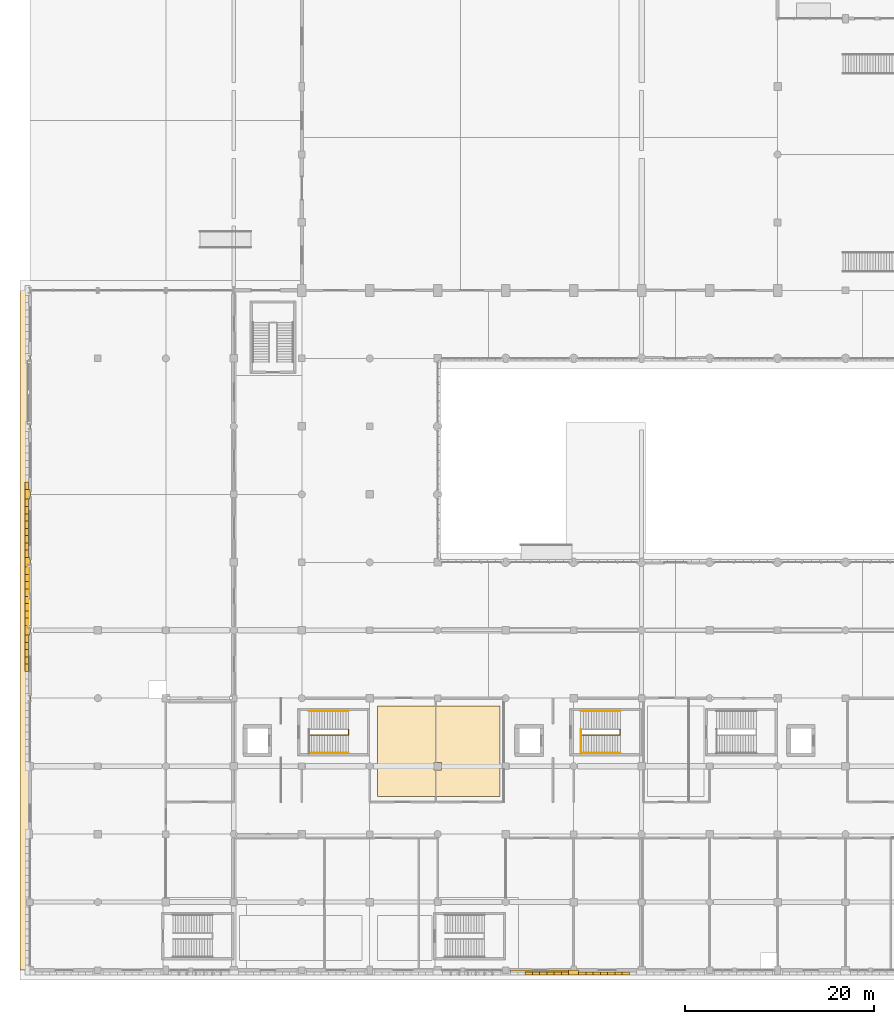
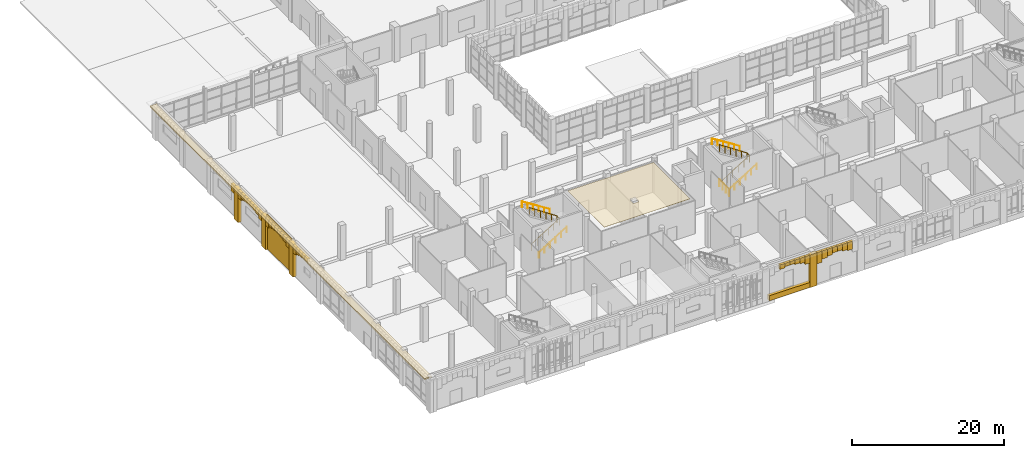
# One storey, part 70 of 85: 43 coverings, 7 railings.
"""IFC4 building model written with IfcOpenShell, lengths in metres."""

from ifc_helpers import new_model, si_unit, direction, frame, frame_2d, origin, origin_2d, place, context, subcontext, project, spatial, polyline, rectangle, circle, outline, extrude, material, layer, layer_set, type_object, element, save


model = new_model("IFC4")

# Units and contexts
model_context = context("Model", 3, precision=1e-05, world=origin(), true_north=direction((0.0, 1.0)))
body_context = subcontext(model_context, "Body", "Model", "MODEL_VIEW")
ifc_project = project(units=[si_unit("LENGTHUNIT", "METRE"), si_unit("AREAUNIT", "SQUARE_METRE"), si_unit("VOLUMEUNIT", "CUBIC_METRE"), si_unit("PLANEANGLEUNIT", "RADIAN"), si_unit("MASSUNIT", "GRAM", prefix="KILO")], contexts=[model_context])

# Site, building, storey
site_placement = place(None, origin())
site = spatial("IfcSite", under=ifc_project, at=site_placement, CompositionType="ELEMENT")
building_placement = place(site_placement, origin())
building = spatial("IfcBuilding", under=site, at=building_placement, Name="Sardonyx Promenade Sports Hall", CompositionType="ELEMENT")
storey_placement = place(building_placement, origin())
storey = spatial("IfcBuildingStorey", under=building, at=storey_placement, Name="L00", CompositionType="ELEMENT", Elevation=0.0)

# Coverings
ifc_material_1 = material(Name="Perforated acoustic mineral-fibre baffle ceiling", Category="other")
ifc_layer_1 = layer(ifc_material_1, 0.0400390625)
ifc_layer_set_1 = layer_set([ifc_layer_1], Name="Cov_Ceil_Acoustic")
covering_type_1 = type_object("IfcCoveringType", Name="Cov_Ceil_Acoustic", PredefinedType="CEILING", material=ifc_layer_set_1)
covering_1_placement = place(storey_placement, frame((0.0, 0.0, 5.280029296875)))
element("IfcCovering", 1, at=covering_1_placement, inside=storey, type_object=covering_type_1, Name="Acoustic baffle ceiling CLG1 L00 #6", PredefinedType="CEILING", context=body_context, shape_type="SweptSolid", body=[
    extrude(outline(polyline([(36.800048828125, 28.0), (36.800048828125, 18.39990234375), (49.800048828125, 18.39990234375), (49.800048828125, 28.0), (36.800048828125, 28.0)]), holes=[polyline([(43.60009765625, 21.199951171875), (42.800048828125, 21.199951171875), (42.800048828125, 22.0), (43.60009765625, 22.0), (43.60009765625, 21.199951171875)])]), origin(), (0.0, 0.0, 1.0), 0.0400390625),
])
ifc_material_2 = material(Name="Dressed Cape red sandstone cornice", Category="masonry")
ifc_layer_2 = layer(ifc_material_2, 0.139892578125)
ifc_layer_set_2 = layer_set([ifc_layer_2], Name="Cov_Chhajja_Eave")
covering_type_2 = type_object("IfcCoveringType", Name="Cov_Chhajja_Eave", PredefinedType="MOLDING", material=ifc_layer_set_2)
covering_2_placement = place(storey_placement, frame((0.0, 0.0, 5.25)))
element("IfcCovering", 2, at=covering_2_placement, inside=storey, type_object=covering_type_2, Name="West climbing L00 chhajja cornice", PredefinedType="MOLDING", context=body_context, shape_type="SweptSolid", body=[
    extrude(outline(polyline([(-1.050048828125, 0.0), (0.050048828125, 0.0), (0.050048828125, 72.10009765625), (-1.050048828125, 72.10009765625), (-1.050048828125, 0.0)])), origin(), (0.0, 0.0, 1.0), 0.219970703125),
])
ifc_material_3 = material(Name="Dressed Cape red sandstone ashlar", Category="masonry")
ifc_layer_3 = layer(ifc_material_3, 0.06005859375)
ifc_layer_set_3 = layer_set([ifc_layer_3], Name="Cov_Cladding_Sandstone")
covering_type_3 = type_object("IfcCoveringType", Name="Cov_Cladding_Sandstone", PredefinedType="CLADDING", material=ifc_layer_set_3)
covering_3_placement = place(storey_placement, frame((-0.18505859375, 36.280029296875, 0.050048828125), z_axis=(0.0, 0.0, 1.0), x_axis=(0.0, 1.0, 0.0)))
element("IfcCovering", 3, at=covering_3_placement, inside=storey, type_object=covering_type_3, Name="Dressed sandstone ashlar cladding L00 #133", PredefinedType="CLADDING", context=body_context, shape_type="SweptSolid", body=[
    extrude(rectangle(XDim=6.639892578125, YDim=0.050048828125, at=frame_2d((3.31982421875, 0.0))), origin(), (0.0, 0.0, 1.0), 5.5),
])
covering_4_placement = place(storey_placement, origin())
element("IfcCovering", 4, at=covering_4_placement, inside=storey, type_object=covering_type_3, Name="South sandstone bay pier casing L00 #8", PredefinedType="CLADDING", context=body_context, shape_type="SweptSolid", body=[
    extrude(outline(polyline([(57.080078125, -0.52001953125), (58.1201171875, -0.52001953125), (58.1201171875, 0.02001953125), (57.080078125, 0.02001953125), (57.080078125, -0.52001953125)])), origin(), (0.0, 0.0, 1.0), 5.25),
])
covering_5_placement = place(storey_placement, origin())
element("IfcCovering", 5, at=covering_5_placement, inside=storey, type_object=covering_type_3, Name="South sandstone sill spandrel L00 #15", PredefinedType="CLADDING", context=body_context, shape_type="SweptSolid", body=[
    extrude(outline(polyline([(50.919921875, -0.4599609375), (57.080078125, -0.4599609375), (57.080078125, 0.02001953125), (50.919921875, 0.02001953125), (50.919921875, -0.4599609375)])), origin(), (0.0, 0.0, 1.0), 0.820068359375),
])
covering_6_placement = place(storey_placement, origin())
element("IfcCovering", 6, at=covering_6_placement, inside=storey, type_object=covering_type_3, Name="West sandstone pier casing L00 #5", PredefinedType="CLADDING", context=body_context, shape_type="SweptSolid", body=[
    extrude(outline(polyline([(-0.5, 35.47998046875), (0.02001953125, 35.47998046875), (0.02001953125, 36.52001953125), (-0.5, 36.52001953125), (-0.5, 35.47998046875)])), origin(), (0.0, 0.0, 1.0), 5.25),
])
covering_7_placement = place(storey_placement, origin())
element("IfcCovering", 7, at=covering_7_placement, inside=storey, type_object=covering_type_3, Name="West sandstone pier casing L00 #6", PredefinedType="CLADDING", context=body_context, shape_type="SweptSolid", body=[
    extrude(outline(polyline([(-0.5, 42.679931640625), (0.02001953125, 42.679931640625), (0.02001953125, 43.719970703125), (-0.5, 43.719970703125), (-0.5, 42.679931640625)])), origin(), (0.0, 0.0, 1.0), 5.25),
])
covering_8_placement = place(storey_placement, origin())
element("IfcCovering", 8, at=covering_8_placement, inside=storey, type_object=covering_type_3, Name="West sandstone pier casing L00 #7", PredefinedType="CLADDING", context=body_context, shape_type="SweptSolid", body=[
    extrude(outline(polyline([(-0.5, 49.8798828125), (0.02001953125, 49.8798828125), (0.02001953125, 50.919921875), (-0.5, 50.919921875), (-0.5, 49.8798828125)])), origin(), (0.0, 0.0, 1.0), 5.25),
])
ifc_material_4 = material(Name="Carved Cape red sandstone ashlar", Category="masonry")
ifc_layer_4 = layer(ifc_material_4, 0.239990234375)
ifc_layer_set_4 = layer_set([ifc_layer_4], Name="Cov_Mughal_Arch")
covering_type_4 = type_object("IfcCoveringType", Name="Cov_Mughal_Arch", PredefinedType="CLADDING", material=ifc_layer_set_4)
covering_9_placement = place(storey_placement, frame((58.1201171875, -0.360107421875, 3.463134765625), z_axis=(0.0, 0.0, 1.0), x_axis=(1.0, 0.0, 0.0)))
element("IfcCovering", 9, at=covering_9_placement, inside=storey, type_object=covering_type_4, Name="Mughal pointed-arch spandrel L00 cov:sdoorarch:14 #1", PredefinedType="CLADDING", context=body_context, shape_type="SweptSolid", body=[
    extrude(rectangle(XDim=0.769775390625, YDim=0.360107421875, at=frame_2d((0.384765625, 0.0))), origin(), (0.0, 0.0, 1.0), 1.786865234375),
])
covering_10_placement = place(storey_placement, frame((58.889892578125, -0.360107421875, 3.9541015625), z_axis=(0.0, 0.0, 1.0), x_axis=(1.0, 0.0, 0.0)))
element("IfcCovering", 10, at=covering_10_placement, inside=storey, type_object=covering_type_4, Name="Mughal pointed-arch spandrel L00 cov:sdoorarch:14 #2", PredefinedType="CLADDING", context=body_context, shape_type="SweptSolid", body=[
    extrude(rectangle(XDim=0.77001953125, YDim=0.360107421875, at=frame_2d((0.385009765625, 0.0))), origin(), (0.0, 0.0, 1.0), 1.2958984375),
])
covering_11_placement = place(storey_placement, frame((59.659912109375, -0.360107421875, 4.13720703125), z_axis=(0.0, 0.0, 1.0), x_axis=(1.0, 0.0, 0.0)))
element("IfcCovering", 11, at=covering_11_placement, inside=storey, type_object=covering_type_4, Name="Mughal pointed-arch spandrel L00 cov:sdoorarch:14 #3", PredefinedType="CLADDING", context=body_context, shape_type="SweptSolid", body=[
    extrude(rectangle(XDim=0.77001953125, YDim=0.360107421875, at=frame_2d((0.385009765625, 0.0))), origin(), (0.0, 0.0, 1.0), 1.11279296875),
])
for number, where, z_axis, x_axis, name in (
    (12, (60.429931640625, -0.360107421875, 4.37109375), (0.0, 0.0, 1.0), (1.0, 0.0, 0.0), "Mughal pointed-arch spandrel L00 cov:sdoorarch:14 #4"),
    (13, (61.199951171875, -0.360107421875, 4.37109375), (0.0, 0.0, 1.0), (1.0, 0.0, 0.0), "Mughal pointed-arch spandrel L00 cov:sdoorarch:14 #5"),
):
    element("IfcCovering", number, at=place(storey_placement, frame(where, z_axis=z_axis, x_axis=x_axis)), inside=storey, type_object=covering_type_4, Name=name, PredefinedType="CLADDING", context=body_context, shape_type="SweptSolid", body=[
        extrude(rectangle(XDim=0.77001953125, YDim=0.360107421875, at=frame_2d((0.385009765625, 0.0))), origin(), (0.0, 0.0, 1.0), 0.87890625),
    ])
covering_12_placement = place(storey_placement, frame((61.969970703125, -0.360107421875, 4.13720703125), z_axis=(0.0, 0.0, 1.0), x_axis=(1.0, 0.0, 0.0)))
element("IfcCovering", 14, at=covering_12_placement, inside=storey, type_object=covering_type_4, Name="Mughal pointed-arch spandrel L00 cov:sdoorarch:14 #6", PredefinedType="CLADDING", context=body_context, shape_type="SweptSolid", body=[
    extrude(rectangle(XDim=0.77001953125, YDim=0.360107421875, at=frame_2d((0.385009765625, 0.0))), origin(), (0.0, 0.0, 1.0), 1.11279296875),
])
covering_13_placement = place(storey_placement, frame((62.739990234375, -0.360107421875, 3.9541015625), z_axis=(0.0, 0.0, 1.0), x_axis=(1.0, 0.0, 0.0)))
element("IfcCovering", 15, at=covering_13_placement, inside=storey, type_object=covering_type_4, Name="Mughal pointed-arch spandrel L00 cov:sdoorarch:14 #7", PredefinedType="CLADDING", context=body_context, shape_type="SweptSolid", body=[
    extrude(rectangle(XDim=0.77001953125, YDim=0.360107421875, at=frame_2d((0.385009765625, 0.0))), origin(), (0.0, 0.0, 1.0), 1.2958984375),
])
covering_14_placement = place(storey_placement, frame((52.4599609375, -0.360107421875, 4.51220703125), z_axis=(0.0, 0.0, 1.0), x_axis=(1.0, 0.0, 0.0)))
element("IfcCovering", 16, at=covering_14_placement, inside=storey, type_object=covering_type_4, Name="Mughal pointed-arch spandrel L00 cov:sl00arch:15 #3", PredefinedType="CLADDING", context=body_context, shape_type="SweptSolid", body=[
    extrude(rectangle(XDim=0.77001953125, YDim=0.340087890625, at=frame_2d((0.385009765625, 0.0))), origin(), (0.0, 0.0, 1.0), 0.73779296875),
])
for number, where, z_axis, x_axis, name in (
    (17, (53.22998046875, -0.360107421875, 4.69775390625), (0.0, 0.0, 1.0), (1.0, 0.0, 0.0), "Mughal pointed-arch spandrel L00 cov:sl00arch:15 #4"),
    (18, (54.0, -0.360107421875, 4.69775390625), (0.0, 0.0, 1.0), (1.0, 0.0, 0.0), "Mughal pointed-arch spandrel L00 cov:sl00arch:15 #5"),
):
    element("IfcCovering", number, at=place(storey_placement, frame(where, z_axis=z_axis, x_axis=x_axis)), inside=storey, type_object=covering_type_4, Name=name, PredefinedType="CLADDING", context=body_context, shape_type="SweptSolid", body=[
        extrude(rectangle(XDim=0.77001953125, YDim=0.340087890625, at=frame_2d((0.385009765625, 0.0))), origin(), (0.0, 0.0, 1.0), 0.55224609375),
    ])
covering_15_placement = place(storey_placement, frame((54.77001953125, -0.360107421875, 4.51220703125), z_axis=(0.0, 0.0, 1.0), x_axis=(1.0, 0.0, 0.0)))
element("IfcCovering", 19, at=covering_15_placement, inside=storey, type_object=covering_type_4, Name="Mughal pointed-arch spandrel L00 cov:sl00arch:15 #6", PredefinedType="CLADDING", context=body_context, shape_type="SweptSolid", body=[
    extrude(rectangle(XDim=0.77001953125, YDim=0.340087890625, at=frame_2d((0.385009765625, 0.0))), origin(), (0.0, 0.0, 1.0), 0.73779296875),
])
covering_16_placement = place(storey_placement, frame((55.5400390625, -0.360107421875, 4.3671875), z_axis=(0.0, 0.0, 1.0), x_axis=(1.0, 0.0, 0.0)))
element("IfcCovering", 20, at=covering_16_placement, inside=storey, type_object=covering_type_4, Name="Mughal pointed-arch spandrel L00 cov:sl00arch:15 #7", PredefinedType="CLADDING", context=body_context, shape_type="SweptSolid", body=[
    extrude(rectangle(XDim=0.77001953125, YDim=0.340087890625, at=frame_2d((0.385009765625, 0.0))), origin(), (0.0, 0.0, 1.0), 0.8828125),
])
covering_17_placement = place(storey_placement, frame((56.31005859375, -0.360107421875, 3.977783203125), z_axis=(0.0, 0.0, 1.0), x_axis=(1.0, 0.0, 0.0)))
element("IfcCovering", 21, at=covering_17_placement, inside=storey, type_object=covering_type_4, Name="Mughal pointed-arch spandrel L00 cov:sl00arch:15 #8", PredefinedType="CLADDING", context=body_context, shape_type="SweptSolid", body=[
    extrude(rectangle(XDim=0.77001953125, YDim=0.340087890625, at=frame_2d((0.385009765625, 0.0))), origin(), (0.0, 0.0, 1.0), 1.272216796875),
])
for number, where, z_axis, x_axis, name in (
    (22, (-0.340087890625, 31.6298828125, 4.69775390625), (0.0, 0.0, 1.0), (0.0, 1.0, 0.0), "Mughal pointed-arch spandrel L00 cov:wl00arch:04 #4"),
    (23, (-0.340087890625, 32.39990234375, 4.69775390625), (0.0, 0.0, 1.0), (0.0, 1.0, 0.0), "Mughal pointed-arch spandrel L00 cov:wl00arch:04 #5"),
):
    element("IfcCovering", number, at=place(storey_placement, frame(where, z_axis=z_axis, x_axis=x_axis)), inside=storey, type_object=covering_type_4, Name=name, PredefinedType="CLADDING", context=body_context, shape_type="SweptSolid", body=[
        extrude(rectangle(XDim=0.77001953125, YDim=0.340087890625, at=frame_2d((0.385009765625, 0.0))), origin(), (0.0, 0.0, 1.0), 0.55224609375),
    ])
covering_18_placement = place(storey_placement, frame((-0.340087890625, 33.169921875, 4.51220703125), z_axis=(0.0, 0.0, 1.0), x_axis=(0.0, 1.0, 0.0)))
element("IfcCovering", 24, at=covering_18_placement, inside=storey, type_object=covering_type_4, Name="Mughal pointed-arch spandrel L00 cov:wl00arch:04 #6", PredefinedType="CLADDING", context=body_context, shape_type="SweptSolid", body=[
    extrude(rectangle(XDim=0.77001953125, YDim=0.340087890625, at=frame_2d((0.385009765625, 0.0))), origin(), (0.0, 0.0, 1.0), 0.73779296875),
])
covering_19_placement = place(storey_placement, frame((-0.340087890625, 33.93994140625, 4.3671875), z_axis=(0.0, 0.0, 1.0), x_axis=(0.0, 1.0, 0.0)))
element("IfcCovering", 25, at=covering_19_placement, inside=storey, type_object=covering_type_4, Name="Mughal pointed-arch spandrel L00 cov:wl00arch:04 #7", PredefinedType="CLADDING", context=body_context, shape_type="SweptSolid", body=[
    extrude(rectangle(XDim=0.77001953125, YDim=0.340087890625, at=frame_2d((0.385009765625, 0.0))), origin(), (0.0, 0.0, 1.0), 0.8828125),
])
for number, where, z_axis, x_axis, name in (
    (26, (-0.340087890625, 34.7099609375, 3.977783203125), (0.0, 0.0, 1.0), (0.0, 1.0, 0.0), "Mughal pointed-arch spandrel L00 cov:wl00arch:04 #8"),
    (27, (-0.340087890625, 36.52001953125, 3.977783203125), (0.0, 0.0, 1.0), (0.0, 1.0, 0.0), "Mughal pointed-arch spandrel L00 cov:wl00arch:05 #1"),
):
    element("IfcCovering", number, at=place(storey_placement, frame(where, z_axis=z_axis, x_axis=x_axis)), inside=storey, type_object=covering_type_4, Name=name, PredefinedType="CLADDING", context=body_context, shape_type="SweptSolid", body=[
        extrude(rectangle(XDim=0.77001953125, YDim=0.340087890625, at=frame_2d((0.385009765625, 0.0))), origin(), (0.0, 0.0, 1.0), 1.272216796875),
    ])
covering_20_placement = place(storey_placement, frame((-0.340087890625, 37.2900390625, 4.3671875), z_axis=(0.0, 0.0, 1.0), x_axis=(0.0, 1.0, 0.0)))
element("IfcCovering", 28, at=covering_20_placement, inside=storey, type_object=covering_type_4, Name="Mughal pointed-arch spandrel L00 cov:wl00arch:05 #2", PredefinedType="CLADDING", context=body_context, shape_type="SweptSolid", body=[
    extrude(rectangle(XDim=0.77001953125, YDim=0.340087890625, at=frame_2d((0.385009765625, 0.0))), origin(), (0.0, 0.0, 1.0), 0.8828125),
])
covering_21_placement = place(storey_placement, frame((-0.340087890625, 38.06005859375, 4.51220703125), z_axis=(0.0, 0.0, 1.0), x_axis=(0.0, 1.0, 0.0)))
element("IfcCovering", 29, at=covering_21_placement, inside=storey, type_object=covering_type_4, Name="Mughal pointed-arch spandrel L00 cov:wl00arch:05 #3", PredefinedType="CLADDING", context=body_context, shape_type="SweptSolid", body=[
    extrude(rectangle(XDim=0.77001953125, YDim=0.340087890625, at=frame_2d((0.385009765625, 0.0))), origin(), (0.0, 0.0, 1.0), 0.73779296875),
])
for number, where, z_axis, x_axis, name in (
    (30, (-0.340087890625, 38.830078125, 4.69775390625), (0.0, 0.0, 1.0), (0.0, 1.0, 0.0), "Mughal pointed-arch spandrel L00 cov:wl00arch:05 #4"),
    (31, (-0.340087890625, 39.60009765625, 4.69775390625), (0.0, 0.0, 1.0), (0.0, 1.0, 0.0), "Mughal pointed-arch spandrel L00 cov:wl00arch:05 #5"),
):
    element("IfcCovering", number, at=place(storey_placement, frame(where, z_axis=z_axis, x_axis=x_axis)), inside=storey, type_object=covering_type_4, Name=name, PredefinedType="CLADDING", context=body_context, shape_type="SweptSolid", body=[
        extrude(rectangle(XDim=0.77001953125, YDim=0.340087890625, at=frame_2d((0.385009765625, 0.0))), origin(), (0.0, 0.0, 1.0), 0.55224609375),
    ])
covering_22_placement = place(storey_placement, frame((-0.340087890625, 40.3701171875, 4.51220703125), z_axis=(0.0, 0.0, 1.0), x_axis=(0.0, 1.0, 0.0)))
element("IfcCovering", 32, at=covering_22_placement, inside=storey, type_object=covering_type_4, Name="Mughal pointed-arch spandrel L00 cov:wl00arch:05 #6", PredefinedType="CLADDING", context=body_context, shape_type="SweptSolid", body=[
    extrude(rectangle(XDim=0.769775390625, YDim=0.340087890625, at=frame_2d((0.384765625, 0.0))), origin(), (0.0, 0.0, 1.0), 0.73779296875),
])
covering_23_placement = place(storey_placement, frame((-0.340087890625, 41.139892578125, 4.3671875), z_axis=(0.0, 0.0, 1.0), x_axis=(0.0, 1.0, 0.0)))
element("IfcCovering", 33, at=covering_23_placement, inside=storey, type_object=covering_type_4, Name="Mughal pointed-arch spandrel L00 cov:wl00arch:05 #7", PredefinedType="CLADDING", context=body_context, shape_type="SweptSolid", body=[
    extrude(rectangle(XDim=0.77001953125, YDim=0.340087890625, at=frame_2d((0.385009765625, 0.0))), origin(), (0.0, 0.0, 1.0), 0.8828125),
])
for number, where, z_axis, x_axis, name in (
    (34, (-0.340087890625, 41.909912109375, 3.977783203125), (0.0, 0.0, 1.0), (0.0, 1.0, 0.0), "Mughal pointed-arch spandrel L00 cov:wl00arch:05 #8"),
    (35, (-0.340087890625, 43.719970703125, 3.977783203125), (0.0, 0.0, 1.0), (0.0, 1.0, 0.0), "Mughal pointed-arch spandrel L00 cov:wl00arch:06 #1"),
):
    element("IfcCovering", number, at=place(storey_placement, frame(where, z_axis=z_axis, x_axis=x_axis)), inside=storey, type_object=covering_type_4, Name=name, PredefinedType="CLADDING", context=body_context, shape_type="SweptSolid", body=[
        extrude(rectangle(XDim=0.77001953125, YDim=0.340087890625, at=frame_2d((0.385009765625, 0.0))), origin(), (0.0, 0.0, 1.0), 1.272216796875),
    ])
covering_24_placement = place(storey_placement, frame((-0.340087890625, 44.489990234375, 4.3671875), z_axis=(0.0, 0.0, 1.0), x_axis=(0.0, 1.0, 0.0)))
element("IfcCovering", 36, at=covering_24_placement, inside=storey, type_object=covering_type_4, Name="Mughal pointed-arch spandrel L00 cov:wl00arch:06 #2", PredefinedType="CLADDING", context=body_context, shape_type="SweptSolid", body=[
    extrude(rectangle(XDim=0.77001953125, YDim=0.340087890625, at=frame_2d((0.385009765625, 0.0))), origin(), (0.0, 0.0, 1.0), 0.8828125),
])
covering_25_placement = place(storey_placement, frame((-0.340087890625, 45.260009765625, 4.51220703125), z_axis=(0.0, 0.0, 1.0), x_axis=(0.0, 1.0, 0.0)))
element("IfcCovering", 37, at=covering_25_placement, inside=storey, type_object=covering_type_4, Name="Mughal pointed-arch spandrel L00 cov:wl00arch:06 #3", PredefinedType="CLADDING", context=body_context, shape_type="SweptSolid", body=[
    extrude(rectangle(XDim=0.77001953125, YDim=0.340087890625, at=frame_2d((0.385009765625, 0.0))), origin(), (0.0, 0.0, 1.0), 0.73779296875),
])
for number, where, z_axis, x_axis, name in (
    (38, (-0.340087890625, 46.030029296875, 4.69775390625), (0.0, 0.0, 1.0), (0.0, 1.0, 0.0), "Mughal pointed-arch spandrel L00 cov:wl00arch:06 #4"),
    (39, (-0.340087890625, 46.800048828125, 4.69775390625), (0.0, 0.0, 1.0), (0.0, 1.0, 0.0), "Mughal pointed-arch spandrel L00 cov:wl00arch:06 #5"),
):
    element("IfcCovering", number, at=place(storey_placement, frame(where, z_axis=z_axis, x_axis=x_axis)), inside=storey, type_object=covering_type_4, Name=name, PredefinedType="CLADDING", context=body_context, shape_type="SweptSolid", body=[
        extrude(rectangle(XDim=0.77001953125, YDim=0.340087890625, at=frame_2d((0.385009765625, 0.0))), origin(), (0.0, 0.0, 1.0), 0.55224609375),
    ])
covering_26_placement = place(storey_placement, frame((-0.340087890625, 47.570068359375, 4.51220703125), z_axis=(0.0, 0.0, 1.0), x_axis=(0.0, 1.0, 0.0)))
element("IfcCovering", 40, at=covering_26_placement, inside=storey, type_object=covering_type_4, Name="Mughal pointed-arch spandrel L00 cov:wl00arch:06 #6", PredefinedType="CLADDING", context=body_context, shape_type="SweptSolid", body=[
    extrude(rectangle(XDim=0.77001953125, YDim=0.340087890625, at=frame_2d((0.385009765625, 0.0))), origin(), (0.0, 0.0, 1.0), 0.73779296875),
])
covering_27_placement = place(storey_placement, frame((-0.340087890625, 48.340087890625, 4.3671875), z_axis=(0.0, 0.0, 1.0), x_axis=(0.0, 1.0, 0.0)))
element("IfcCovering", 41, at=covering_27_placement, inside=storey, type_object=covering_type_4, Name="Mughal pointed-arch spandrel L00 cov:wl00arch:06 #7", PredefinedType="CLADDING", context=body_context, shape_type="SweptSolid", body=[
    extrude(rectangle(XDim=0.77001953125, YDim=0.340087890625, at=frame_2d((0.385009765625, 0.0))), origin(), (0.0, 0.0, 1.0), 0.8828125),
])
covering_28_placement = place(storey_placement, frame((-0.340087890625, 49.110107421875, 3.977783203125), z_axis=(0.0, 0.0, 1.0), x_axis=(0.0, 1.0, 0.0)))
element("IfcCovering", 42, at=covering_28_placement, inside=storey, type_object=covering_type_4, Name="Mughal pointed-arch spandrel L00 cov:wl00arch:06 #8", PredefinedType="CLADDING", context=body_context, shape_type="SweptSolid", body=[
    extrude(rectangle(XDim=0.769775390625, YDim=0.340087890625, at=frame_2d((0.384765625, 0.0))), origin(), (0.0, 0.0, 1.0), 1.272216796875),
])
covering_29_placement = place(storey_placement, frame((-0.340087890625, 50.919921875, 3.977783203125), z_axis=(0.0, 0.0, 1.0), x_axis=(0.0, 1.0, 0.0)))
element("IfcCovering", 43, at=covering_29_placement, inside=storey, type_object=covering_type_4, Name="Mughal pointed-arch spandrel L00 cov:wl00arch:07 #1", PredefinedType="CLADDING", context=body_context, shape_type="SweptSolid", body=[
    extrude(rectangle(XDim=0.77001953125, YDim=0.340087890625, at=frame_2d((0.385009765625, 0.0))), origin(), (0.0, 0.0, 1.0), 1.272216796875),
])

# Railings
ifc_material_5 = material(Name="Powder-coated Steel S355JR", Category="steel")
railing_type_1 = type_object("IfcRailingType", Name="Rail_Int_Guard_1100", PredefinedType="GUARDRAIL", material=ifc_material_5)
railing_1_placement = place(storey_placement, frame((29.550048828125, 24.885009765625, 0.175048828125)))
element("IfcRailing", 44, at=railing_1_placement, inside=storey, type_object=railing_type_1, Name="Stair inner well guard ST1 L00", PredefinedType="GUARDRAIL", context=body_context, shape_type="SweptSolid", body=[
    extrude(circle(Radius=0.02392578125, at=origin_2d()), frame((0.0, 0.0, 1.09619140625), z_axis=(0.846854242419, 0.0, 0.531825057794), x_axis=(0.0, 1.0, 0.0)), (0.0, 0.0, 1.0), 4.935791015625),
    extrude(circle(Radius=0.02392578125, at=origin_2d()), frame((4.179931640625, 0.0, 3.72119140625), z_axis=(0.0, 1.0, 0.0), x_axis=(-1.0, 0.0, 0.0)), (0.0, 0.0, 1.0), 0.6298828125),
    extrude(circle(Radius=0.02392578125, at=origin_2d()), frame((4.179931640625, 0.6298828125, 3.72119140625), z_axis=(-0.830816424754, 0.0, 0.556546555429), x_axis=(0.0, -1.0, 0.0)), (0.0, 0.0, 1.0), 5.031005859375),
    extrude(circle(Radius=0.02099609375, at=origin_2d()), origin(), (0.0, 0.0, 1.0), 1.072021484375),
    extrude(circle(Radius=0.02099609375, at=origin_2d()), frame((0.8359375, 0.0, 0.52490234375)), (0.0, 0.0, 1.0), 1.072021484375),
    extrude(circle(Radius=0.02099609375, at=origin_2d()), frame((1.671875, 0.0, 1.050048828125)), (0.0, 0.0, 1.0), 1.072021484375),
    extrude(circle(Radius=0.02099609375, at=origin_2d()), frame((2.508056640625, 0.0, 1.574951171875)), (0.0, 0.0, 1.0), 1.072021484375),
    extrude(circle(Radius=0.02099609375, at=origin_2d()), frame((3.343994140625, 0.0, 2.10009765625)), (0.0, 0.0, 1.0), 1.072021484375),
    extrude(circle(Radius=0.02099609375, at=origin_2d()), frame((4.179931640625, 0.0, 2.625)), (0.0, 0.0, 1.0), 1.072021484375),
    extrude(circle(Radius=0.02099609375, at=origin_2d()), frame((4.179931640625, 0.6298828125, 2.625)), (0.0, 0.0, 1.0), 1.072021484375),
    extrude(circle(Radius=0.02099609375, at=origin_2d()), frame((3.343994140625, 0.6298828125, 3.18505859375)), (0.0, 0.0, 1.0), 1.072021484375),
    extrude(circle(Radius=0.02099609375, at=origin_2d()), frame((2.508056640625, 0.6298828125, 3.7451171875)), (0.0, 0.0, 1.0), 1.072021484375),
    extrude(circle(Radius=0.02099609375, at=origin_2d()), frame((1.671875, 0.6298828125, 4.304931640625)), (0.0, 0.0, 1.0), 1.072021484375),
    extrude(circle(Radius=0.02099609375, at=origin_2d()), frame((0.8359375, 0.6298828125, 4.864990234375)), (0.0, 0.0, 1.0), 1.072021484375),
    extrude(circle(Radius=0.02099609375, at=origin_2d()), frame((0.0, 0.6298828125, 5.425048828125)), (0.0, 0.0, 1.0), 1.072021484375),
])
railing_2_placement = place(storey_placement, frame((58.360107421875, 22.945068359375, 0.0)))
element("IfcRailing", 45, at=railing_2_placement, inside=storey, type_object=railing_type_1, Name="Stair floor-edge guard ST3 L00", PredefinedType="GUARDRAIL", context=body_context, shape_type="SweptSolid", body=[
    extrude(circle(Radius=0.02392578125, at=origin_2d()), frame((0.0, 0.0, 1.09619140625), z_axis=(0.0, 1.0, 0.0), x_axis=(-1.0, 0.0, 0.0)), (0.0, 0.0, 1.0), 2.56982421875),
    extrude(circle(Radius=0.02392578125, at=origin_2d()), frame((0.0, 2.56982421875, 1.09619140625), z_axis=(-1.0, 0.0, 0.0), x_axis=(0.0, -1.0, 0.0)), (0.0, 0.0, 1.0), 0.010009765625),
    extrude(circle(Radius=0.02099609375, at=origin_2d()), origin(), (0.0, 0.0, 1.0), 1.072021484375),
    extrude(circle(Radius=0.02099609375, at=origin_2d()), frame((0.0, 0.856689453125, 0.0)), (0.0, 0.0, 1.0), 1.072021484375),
    extrude(circle(Radius=0.02099609375, at=origin_2d()), frame((0.0, 1.713134765625, 0.0)), (0.0, 0.0, 1.0), 1.072021484375),
    extrude(circle(Radius=0.02099609375, at=origin_2d()), frame((0.0, 2.56982421875, 0.0)), (0.0, 0.0, 1.0), 1.072021484375),
    extrude(circle(Radius=0.02099609375, at=origin_2d()), frame((-0.010009765625, 2.56982421875, 0.0)), (0.0, 0.0, 1.0), 1.072021484375),
])
railing_3_placement = place(storey_placement, frame((58.35009765625, 24.885009765625, 0.175048828125)))
element("IfcRailing", 46, at=railing_3_placement, inside=storey, type_object=railing_type_1, Name="Stair inner well guard ST3 L00", PredefinedType="GUARDRAIL", context=body_context, shape_type="SweptSolid", body=[
    extrude(circle(Radius=0.02392578125, at=origin_2d()), frame((0.0, 0.0, 1.09619140625), z_axis=(0.846854242419, 0.0, 0.531825057794), x_axis=(0.0, 1.0, 0.0)), (0.0, 0.0, 1.0), 4.935791015625),
    extrude(circle(Radius=0.02392578125, at=origin_2d()), frame((4.179931640625, 0.0, 3.72119140625), z_axis=(0.0, 1.0, 0.0), x_axis=(-1.0, 0.0, 0.0)), (0.0, 0.0, 1.0), 0.6298828125),
    extrude(circle(Radius=0.02392578125, at=origin_2d()), frame((4.179931640625, 0.6298828125, 3.72119140625), z_axis=(-0.830816424754, 0.0, 0.556546555429), x_axis=(0.0, -1.0, 0.0)), (0.0, 0.0, 1.0), 5.031005859375),
    extrude(circle(Radius=0.02099609375, at=origin_2d()), origin(), (0.0, 0.0, 1.0), 1.072021484375),
    extrude(circle(Radius=0.02099609375, at=origin_2d()), frame((0.8359375, 0.0, 0.52490234375)), (0.0, 0.0, 1.0), 1.072021484375),
    extrude(circle(Radius=0.02099609375, at=origin_2d()), frame((1.671875, 0.0, 1.050048828125)), (0.0, 0.0, 1.0), 1.072021484375),
    extrude(circle(Radius=0.02099609375, at=origin_2d()), frame((2.508056640625, 0.0, 1.574951171875)), (0.0, 0.0, 1.0), 1.072021484375),
    extrude(circle(Radius=0.02099609375, at=origin_2d()), frame((3.343994140625, 0.0, 2.10009765625)), (0.0, 0.0, 1.0), 1.072021484375),
    extrude(circle(Radius=0.02099609375, at=origin_2d()), frame((4.179931640625, 0.0, 2.625)), (0.0, 0.0, 1.0), 1.072021484375),
    extrude(circle(Radius=0.02099609375, at=origin_2d()), frame((4.179931640625, 0.6298828125, 2.625)), (0.0, 0.0, 1.0), 1.072021484375),
    extrude(circle(Radius=0.02099609375, at=origin_2d()), frame((3.343994140625, 0.6298828125, 3.18505859375)), (0.0, 0.0, 1.0), 1.072021484375),
    extrude(circle(Radius=0.02099609375, at=origin_2d()), frame((2.508056640625, 0.6298828125, 3.7451171875)), (0.0, 0.0, 1.0), 1.072021484375),
    extrude(circle(Radius=0.02099609375, at=origin_2d()), frame((1.671875, 0.6298828125, 4.304931640625)), (0.0, 0.0, 1.0), 1.072021484375),
    extrude(circle(Radius=0.02099609375, at=origin_2d()), frame((0.8359375, 0.6298828125, 4.864990234375)), (0.0, 0.0, 1.0), 1.072021484375),
    extrude(circle(Radius=0.02099609375, at=origin_2d()), frame((0.0, 0.6298828125, 5.425048828125)), (0.0, 0.0, 1.0), 1.072021484375),
])
ifc_material_6 = material(Name="Brushed stainless steel Grade 304", Category="steel")
railing_type_2 = type_object("IfcRailingType", Name="Rail_Int_Handrail_900", PredefinedType="HANDRAIL", material=ifc_material_6)
railing_4_placement = place(storey_placement, frame((29.550048828125, 22.97509765625, 0.175048828125)))
element("IfcRailing", 47, at=railing_4_placement, inside=storey, type_object=railing_type_2, Name="Stair handrail ST1 L00 F1", PredefinedType="HANDRAIL", context=body_context, shape_type="SweptSolid", body=[
    extrude(circle(Radius=0.02392578125, at=origin_2d()), frame((0.0, 0.0, 0.8759765625), z_axis=(0.847995534698, 0.0, 0.530003370869), x_axis=(0.0, 1.0, 0.0)), (0.0, 0.0, 1.0), 4.952880859375),
    extrude(circle(Radius=0.02099609375, at=origin_2d()), origin(), (0.0, 0.0, 1.0), 0.851806640625),
    extrude(circle(Radius=0.02099609375, at=origin_2d()), frame((0.840087890625, 0.0, 0.52490234375)), (0.0, 0.0, 1.0), 0.851806640625),
    extrude(circle(Radius=0.02099609375, at=origin_2d()), frame((1.679931640625, 0.0, 1.050048828125)), (0.0, 0.0, 1.0), 0.851806640625),
    extrude(circle(Radius=0.02099609375, at=origin_2d()), frame((2.52001953125, 0.0, 1.574951171875)), (0.0, 0.0, 1.0), 0.851806640625),
    extrude(circle(Radius=0.02099609375, at=origin_2d()), frame((3.35986328125, 0.0, 2.10009765625)), (0.0, 0.0, 1.0), 0.851806640625),
    extrude(circle(Radius=0.02099609375, at=origin_2d()), frame((4.199951171875, 0.0, 2.625)), (0.0, 0.0, 1.0), 0.851806640625),
])
railing_5_placement = place(storey_placement, frame((33.75, 27.425048828125, 2.97509765625)))
element("IfcRailing", 48, at=railing_5_placement, inside=storey, type_object=railing_type_2, Name="Stair handrail ST1 L00 F2", PredefinedType="HANDRAIL", context=body_context, shape_type="SweptSolid", body=[
    extrude(circle(Radius=0.02392578125, at=origin_2d()), frame((0.0, 0.0, 0.8759765625), z_axis=(-0.847995534698, 0.0, 0.530003370869), x_axis=(0.0, -1.0, 0.0)), (0.0, 0.0, 1.0), 4.952880859375),
    extrude(circle(Radius=0.02099609375, at=origin_2d()), origin(), (0.0, 0.0, 1.0), 0.851806640625),
    extrude(circle(Radius=0.02099609375, at=origin_2d()), frame((-0.840087890625, 0.0, 0.52490234375)), (0.0, 0.0, 1.0), 0.851806640625),
    extrude(circle(Radius=0.02099609375, at=origin_2d()), frame((-1.679931640625, 0.0, 1.050048828125)), (0.0, 0.0, 1.0), 0.851806640625),
    extrude(circle(Radius=0.02099609375, at=origin_2d()), frame((-2.52001953125, 0.0, 1.574951171875)), (0.0, 0.0, 1.0), 0.851806640625),
    extrude(circle(Radius=0.02099609375, at=origin_2d()), frame((-3.35986328125, 0.0, 2.10009765625)), (0.0, 0.0, 1.0), 0.851806640625),
    extrude(circle(Radius=0.02099609375, at=origin_2d()), frame((-4.199951171875, 0.0, 2.625)), (0.0, 0.0, 1.0), 0.851806640625),
])
railing_6_placement = place(storey_placement, frame((58.35009765625, 22.97509765625, 0.175048828125)))
element("IfcRailing", 49, at=railing_6_placement, inside=storey, type_object=railing_type_2, Name="Stair handrail ST3 L00 F1", PredefinedType="HANDRAIL", context=body_context, shape_type="SweptSolid", body=[
    extrude(circle(Radius=0.02392578125, at=origin_2d()), frame((0.0, 0.0, 0.8759765625), z_axis=(0.847995534698, 0.0, 0.530003370869), x_axis=(0.0, 1.0, 0.0)), (0.0, 0.0, 1.0), 4.952880859375),
    extrude(circle(Radius=0.02099609375, at=origin_2d()), origin(), (0.0, 0.0, 1.0), 0.851806640625),
    extrude(circle(Radius=0.02099609375, at=origin_2d()), frame((0.840087890625, 0.0, 0.52490234375)), (0.0, 0.0, 1.0), 0.851806640625),
    extrude(circle(Radius=0.02099609375, at=origin_2d()), frame((1.679931640625, 0.0, 1.050048828125)), (0.0, 0.0, 1.0), 0.851806640625),
    extrude(circle(Radius=0.02099609375, at=origin_2d()), frame((2.52001953125, 0.0, 1.574951171875)), (0.0, 0.0, 1.0), 0.851806640625),
    extrude(circle(Radius=0.02099609375, at=origin_2d()), frame((3.35986328125, 0.0, 2.10009765625)), (0.0, 0.0, 1.0), 0.851806640625),
    extrude(circle(Radius=0.02099609375, at=origin_2d()), frame((4.199951171875, 0.0, 2.625)), (0.0, 0.0, 1.0), 0.851806640625),
])
railing_7_placement = place(storey_placement, frame((62.550048828125, 27.425048828125, 2.97509765625)))
element("IfcRailing", 50, at=railing_7_placement, inside=storey, type_object=railing_type_2, Name="Stair handrail ST3 L00 F2", PredefinedType="HANDRAIL", context=body_context, shape_type="SweptSolid", body=[
    extrude(circle(Radius=0.02392578125, at=origin_2d()), frame((0.0, 0.0, 0.8759765625), z_axis=(-0.847995534698, 0.0, 0.530003370869), x_axis=(0.0, -1.0, 0.0)), (0.0, 0.0, 1.0), 4.952880859375),
    extrude(circle(Radius=0.02099609375, at=origin_2d()), origin(), (0.0, 0.0, 1.0), 0.851806640625),
    extrude(circle(Radius=0.02099609375, at=origin_2d()), frame((-0.840087890625, 0.0, 0.52490234375)), (0.0, 0.0, 1.0), 0.851806640625),
    extrude(circle(Radius=0.02099609375, at=origin_2d()), frame((-1.679931640625, 0.0, 1.050048828125)), (0.0, 0.0, 1.0), 0.851806640625),
    extrude(circle(Radius=0.02099609375, at=origin_2d()), frame((-2.52001953125, 0.0, 1.574951171875)), (0.0, 0.0, 1.0), 0.851806640625),
    extrude(circle(Radius=0.02099609375, at=origin_2d()), frame((-3.35986328125, 0.0, 2.10009765625)), (0.0, 0.0, 1.0), 0.851806640625),
    extrude(circle(Radius=0.02099609375, at=origin_2d()), frame((-4.199951171875, 0.0, 2.625)), (0.0, 0.0, 1.0), 0.851806640625),
])

save(model, "model.ifc")
